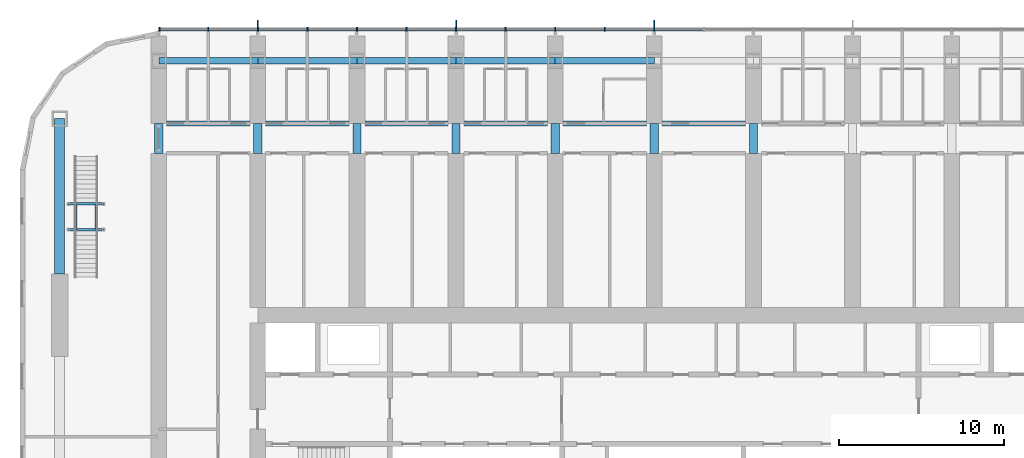
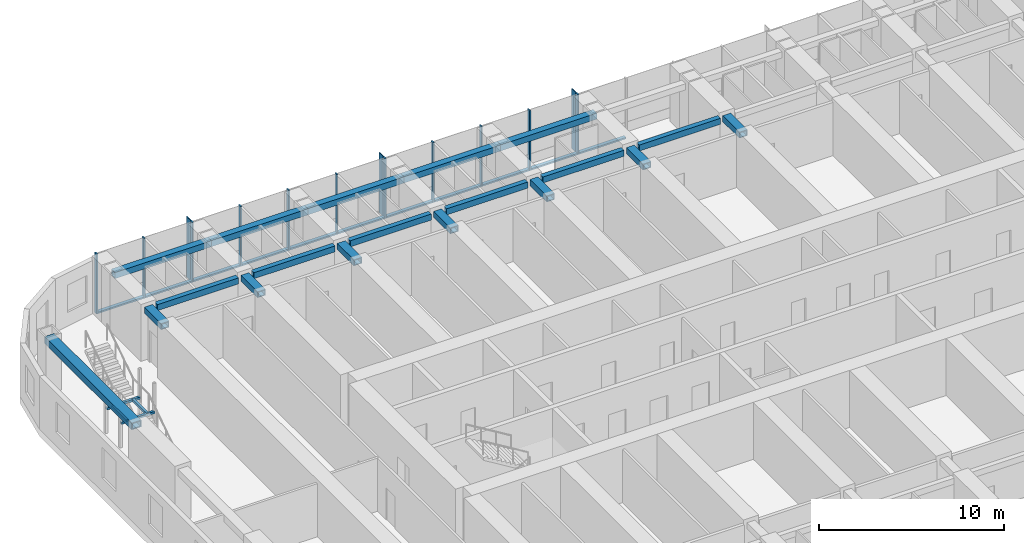
# One storey, part 6 of 26: 25 members, 23 beams, 1 element without a shape of its own.
"""IFC4 building model written with IfcOpenShell, lengths in metres."""

from ifc_helpers import new_model, si_unit, direction, frame, origin, origin_2d, place, context, subcontext, project, spatial, rectangle, hollow_rectangle, extrude, material, material_profile, profile_set, type_object, element, aggregate, save


model = new_model("IFC4")

# Units and contexts
model_context = context("Model", 3, precision=1e-05, world=origin(), true_north=direction((0.0, 1.0)))
body_context = subcontext(model_context, "Body", "Model", "MODEL_VIEW")
ifc_project = project(units=[si_unit("LENGTHUNIT", "METRE"), si_unit("AREAUNIT", "SQUARE_METRE"), si_unit("VOLUMEUNIT", "CUBIC_METRE"), si_unit("PLANEANGLEUNIT", "RADIAN"), si_unit("MASSUNIT", "GRAM", prefix="KILO")], contexts=[model_context])

# Site, building, storey
site_placement = place(None, origin())
site = spatial("IfcSite", under=ifc_project, at=site_placement, CompositionType="ELEMENT")
building_placement = place(site_placement, origin())
building = spatial("IfcBuilding", under=site, at=building_placement, Name="Orbita Commons", CompositionType="ELEMENT")
storey_placement = place(building_placement, frame((0.0, 0.0, 114.39990234375)))
storey = spatial("IfcBuildingStorey", under=building, at=storey_placement, Name="L28", CompositionType="ELEMENT", Elevation=114.39990234375)

# Curtain wall, members
ifc_material_1 = material(Name="Anodised aluminium frame, pale silver", Category="aluminium")
curtain_wall_type = type_object("IfcCurtainWallType", Name="Unitised curtain wall CW-T, vision and spandrel", PredefinedType="NOTDEFINED", material=ifc_material_1)
curtain_wall_placement = place(storey_placement, origin())
curtain_wall = element("IfcCurtainWall", 1, at=curtain_wall_placement, inside=storey, type_object=curtain_wall_type, Name="Curtain wall north L28", PredefinedType="NOTDEFINED")
ifc_material_2 = material(Name="Anodised aluminium, pale silver", Category="aluminium")
ifc_material_profile_1 = material_profile(ifc_material_2, rectangle(XDim=0.080078125, YDim=0.219970703125, at=origin_2d()), Name="AL 80x220")
ifc_profile_set_1 = profile_set([ifc_material_profile_1], Name="Anodised aluminium, pale silver")
member_type_1 = type_object("IfcMemberType", Name="Curtain wall mullion 80x220", PredefinedType="MULLION", material=ifc_profile_set_1)
member_1_placement = place(storey_placement, frame((42.0, 55.510009765625, -0.449951171875), z_axis=(0.0, 0.0, 1.0), x_axis=(-1.0, 0.0, 0.0)))
member_1 = element("IfcMember", 2, at=member_1_placement, type_object=member_type_1, Name="Mullion 9 CW-L28-N", PredefinedType="MULLION", context=body_context, shape_type="SweptSolid", body=[
    extrude(rectangle(XDim=0.080078125, YDim=0.219970703125, at=origin_2d()), origin(), (0.0, 0.0, 1.0), 3.949951171875),
])
member_2_placement = place(storey_placement, frame((39.0, 55.510009765625, -0.449951171875), z_axis=(0.0, 0.0, 1.0), x_axis=(-1.0, 0.0, 0.0)))
member_2 = element("IfcMember", 3, at=member_2_placement, type_object=member_type_1, Name="Mullion 10 CW-L28-N", PredefinedType="MULLION", context=body_context, shape_type="SweptSolid", body=[
    extrude(rectangle(XDim=0.080078125, YDim=0.219970703125, at=origin_2d()), origin(), (0.0, 0.0, 1.0), 3.949951171875),
])
member_3_placement = place(storey_placement, frame((36.0, 55.510009765625, -0.449951171875), z_axis=(0.0, 0.0, 1.0), x_axis=(-1.0, 0.0, 0.0)))
member_3 = element("IfcMember", 4, at=member_3_placement, type_object=member_type_1, Name="Mullion 11 CW-L28-N", PredefinedType="MULLION", context=body_context, shape_type="SweptSolid", body=[
    extrude(rectangle(XDim=0.080078125, YDim=0.219970703125, at=origin_2d()), origin(), (0.0, 0.0, 1.0), 3.949951171875),
])
member_4_placement = place(storey_placement, frame((33.0, 55.510009765625, -0.449951171875), z_axis=(0.0, 0.0, 1.0), x_axis=(-1.0, 0.0, 0.0)))
member_4 = element("IfcMember", 5, at=member_4_placement, type_object=member_type_1, Name="Mullion 12 CW-L28-N", PredefinedType="MULLION", context=body_context, shape_type="SweptSolid", body=[
    extrude(rectangle(XDim=0.080078125, YDim=0.219970703125, at=origin_2d()), origin(), (0.0, 0.0, 1.0), 3.949951171875),
])
member_5_placement = place(storey_placement, frame((30.0, 55.510009765625, -0.449951171875), z_axis=(0.0, 0.0, 1.0), x_axis=(-1.0, 0.0, 0.0)))
member_5 = element("IfcMember", 6, at=member_5_placement, type_object=member_type_1, Name="Mullion 13 CW-L28-N", PredefinedType="MULLION", context=body_context, shape_type="SweptSolid", body=[
    extrude(rectangle(XDim=0.080078125, YDim=0.219970703125, at=origin_2d()), origin(), (0.0, 0.0, 1.0), 3.949951171875),
])
member_6_placement = place(storey_placement, frame((27.0, 55.510009765625, -0.449951171875), z_axis=(0.0, 0.0, 1.0), x_axis=(-1.0, 0.0, 0.0)))
member_6 = element("IfcMember", 7, at=member_6_placement, type_object=member_type_1, Name="Mullion 14 CW-L28-N", PredefinedType="MULLION", context=body_context, shape_type="SweptSolid", body=[
    extrude(rectangle(XDim=0.080078125, YDim=0.219970703125, at=origin_2d()), origin(), (0.0, 0.0, 1.0), 3.949951171875),
])
member_7_placement = place(storey_placement, frame((24.0, 55.510009765625, -0.449951171875), z_axis=(0.0, 0.0, 1.0), x_axis=(-1.0, 0.0, 0.0)))
member_7 = element("IfcMember", 8, at=member_7_placement, type_object=member_type_1, Name="Mullion 15 CW-L28-N", PredefinedType="MULLION", context=body_context, shape_type="SweptSolid", body=[
    extrude(rectangle(XDim=0.080078125, YDim=0.219970703125, at=origin_2d()), origin(), (0.0, 0.0, 1.0), 3.949951171875),
])
member_8_placement = place(storey_placement, frame((21.0, 55.510009765625, -0.449951171875), z_axis=(0.0, 0.0, 1.0), x_axis=(-1.0, 0.0, 0.0)))
member_8 = element("IfcMember", 9, at=member_8_placement, type_object=member_type_1, Name="Mullion 16 CW-L28-N", PredefinedType="MULLION", context=body_context, shape_type="SweptSolid", body=[
    extrude(rectangle(XDim=0.080078125, YDim=0.219970703125, at=origin_2d()), origin(), (0.0, 0.0, 1.0), 3.949951171875),
])
member_9_placement = place(storey_placement, frame((18.0, 55.510009765625, -0.449951171875), z_axis=(0.0, 0.0, 1.0), x_axis=(-1.0, 0.0, 0.0)))
member_9 = element("IfcMember", 10, at=member_9_placement, type_object=member_type_1, Name="Mullion 17 CW-L28-N", PredefinedType="MULLION", context=body_context, shape_type="SweptSolid", body=[
    extrude(rectangle(XDim=0.080078125, YDim=0.219970703125, at=origin_2d()), origin(), (0.0, 0.0, 1.0), 3.949951171875),
])
member_10_placement = place(storey_placement, frame((15.0, 55.510009765625, -0.449951171875), z_axis=(0.0, 0.0, 1.0), x_axis=(-1.0, 0.0, 0.0)))
member_10 = element("IfcMember", 11, at=member_10_placement, type_object=member_type_1, Name="Mullion 18 CW-L28-N", PredefinedType="MULLION", context=body_context, shape_type="SweptSolid", body=[
    extrude(rectangle(XDim=0.080078125, YDim=0.219970703125, at=origin_2d()), origin(), (0.0, 0.0, 1.0), 3.949951171875),
])
member_11_placement = place(storey_placement, frame((12.0400390625, 55.510009765625, -0.449951171875), z_axis=(0.0, 0.0, 1.0), x_axis=(-1.0, 0.0, 0.0)))
member_11 = element("IfcMember", 12, at=member_11_placement, type_object=member_type_1, Name="Mullion 19 CW-L28-N", PredefinedType="MULLION", context=body_context, shape_type="SweptSolid", body=[
    extrude(rectangle(XDim=0.080078125, YDim=0.219970703125, at=origin_2d()), origin(), (0.0, 0.0, 1.0), 3.949951171875),
])
ifc_material_3 = material(Name="Anodised aluminium, pale silver", Category="aluminium")
ifc_material_profile_2 = material_profile(ifc_material_3, rectangle(XDim=0.219970703125, YDim=0.10009765625, at=origin_2d()), Name="AL 220x100")
ifc_profile_set_2 = profile_set([ifc_material_profile_2], Name="Anodised aluminium, pale silver")
member_type_2 = type_object("IfcMemberType", Name="Curtain wall stack transom 220x100", PredefinedType="USERDEFINED", material=ifc_profile_set_2)
member_12_placement = place(storey_placement, frame((44.9599609375, 55.510009765625, -0.39990234375), z_axis=(-1.0, 0.0, 0.0), x_axis=(0.0, -1.0, 0.0)))
member_12 = element("IfcMember", 13, at=member_12_placement, type_object=member_type_2, Name="Transom 8.1 CW-L28-N", ObjectType="TRANSOM", PredefinedType="USERDEFINED", context=body_context, shape_type="SweptSolid", body=[
    extrude(rectangle(XDim=0.219970703125, YDim=0.10009765625, at=origin_2d()), origin(), (0.0, 0.0, 1.0), 2.919921875),
])
member_13_placement = place(storey_placement, frame((41.9599609375, 55.510009765625, -0.39990234375), z_axis=(-1.0, 0.0, 0.0), x_axis=(0.0, -1.0, 0.0)))
member_13 = element("IfcMember", 14, at=member_13_placement, type_object=member_type_2, Name="Transom 9.1 CW-L28-N", ObjectType="TRANSOM", PredefinedType="USERDEFINED", context=body_context, shape_type="SweptSolid", body=[
    extrude(rectangle(XDim=0.219970703125, YDim=0.10009765625, at=origin_2d()), origin(), (0.0, 0.0, 1.0), 2.919921875),
])
member_14_placement = place(storey_placement, frame((38.9599609375, 55.510009765625, -0.39990234375), z_axis=(-1.0, 0.0, 0.0), x_axis=(0.0, -1.0, 0.0)))
member_14 = element("IfcMember", 15, at=member_14_placement, type_object=member_type_2, Name="Transom 10.1 CW-L28-N", ObjectType="TRANSOM", PredefinedType="USERDEFINED", context=body_context, shape_type="SweptSolid", body=[
    extrude(rectangle(XDim=0.219970703125, YDim=0.10009765625, at=origin_2d()), origin(), (0.0, 0.0, 1.0), 2.919921875),
])
member_15_placement = place(storey_placement, frame((35.9599609375, 55.510009765625, -0.39990234375), z_axis=(-1.0, 0.0, 0.0), x_axis=(0.0, -1.0, 0.0)))
member_15 = element("IfcMember", 16, at=member_15_placement, type_object=member_type_2, Name="Transom 11.1 CW-L28-N", ObjectType="TRANSOM", PredefinedType="USERDEFINED", context=body_context, shape_type="SweptSolid", body=[
    extrude(rectangle(XDim=0.219970703125, YDim=0.10009765625, at=origin_2d()), origin(), (0.0, 0.0, 1.0), 2.919921875),
])
member_16_placement = place(storey_placement, frame((32.9599609375, 55.510009765625, -0.39990234375), z_axis=(-1.0, 0.0, 0.0), x_axis=(0.0, -1.0, 0.0)))
member_16 = element("IfcMember", 17, at=member_16_placement, type_object=member_type_2, Name="Transom 12.1 CW-L28-N", ObjectType="TRANSOM", PredefinedType="USERDEFINED", context=body_context, shape_type="SweptSolid", body=[
    extrude(rectangle(XDim=0.219970703125, YDim=0.10009765625, at=origin_2d()), origin(), (0.0, 0.0, 1.0), 2.919921875),
])
member_17_placement = place(storey_placement, frame((29.9599609375, 55.510009765625, -0.39990234375), z_axis=(-1.0, 0.0, 0.0), x_axis=(0.0, -1.0, 0.0)))
member_17 = element("IfcMember", 18, at=member_17_placement, type_object=member_type_2, Name="Transom 13.1 CW-L28-N", ObjectType="TRANSOM", PredefinedType="USERDEFINED", context=body_context, shape_type="SweptSolid", body=[
    extrude(rectangle(XDim=0.219970703125, YDim=0.10009765625, at=origin_2d()), origin(), (0.0, 0.0, 1.0), 2.919921875),
])
member_18_placement = place(storey_placement, frame((26.9599609375, 55.510009765625, -0.39990234375), z_axis=(-1.0, 0.0, 0.0), x_axis=(0.0, -1.0, 0.0)))
member_18 = element("IfcMember", 19, at=member_18_placement, type_object=member_type_2, Name="Transom 14.1 CW-L28-N", ObjectType="TRANSOM", PredefinedType="USERDEFINED", context=body_context, shape_type="SweptSolid", body=[
    extrude(rectangle(XDim=0.219970703125, YDim=0.10009765625, at=origin_2d()), origin(), (0.0, 0.0, 1.0), 2.919921875),
])
member_19_placement = place(storey_placement, frame((23.9599609375, 55.510009765625, -0.39990234375), z_axis=(-1.0, 0.0, 0.0), x_axis=(0.0, -1.0, 0.0)))
member_19 = element("IfcMember", 20, at=member_19_placement, type_object=member_type_2, Name="Transom 15.1 CW-L28-N", ObjectType="TRANSOM", PredefinedType="USERDEFINED", context=body_context, shape_type="SweptSolid", body=[
    extrude(rectangle(XDim=0.219970703125, YDim=0.10009765625, at=origin_2d()), origin(), (0.0, 0.0, 1.0), 2.919921875),
])
member_20_placement = place(storey_placement, frame((20.9599609375, 55.510009765625, -0.39990234375), z_axis=(-1.0, 0.0, 0.0), x_axis=(0.0, -1.0, 0.0)))
member_20 = element("IfcMember", 21, at=member_20_placement, type_object=member_type_2, Name="Transom 16.1 CW-L28-N", ObjectType="TRANSOM", PredefinedType="USERDEFINED", context=body_context, shape_type="SweptSolid", body=[
    extrude(rectangle(XDim=0.219970703125, YDim=0.10009765625, at=origin_2d()), origin(), (0.0, 0.0, 1.0), 2.919921875),
])
member_21_placement = place(storey_placement, frame((17.9599609375, 55.510009765625, -0.39990234375), z_axis=(-1.0, 0.0, 0.0), x_axis=(0.0, -1.0, 0.0)))
member_21 = element("IfcMember", 22, at=member_21_placement, type_object=member_type_2, Name="Transom 17.1 CW-L28-N", ObjectType="TRANSOM", PredefinedType="USERDEFINED", context=body_context, shape_type="SweptSolid", body=[
    extrude(rectangle(XDim=0.219970703125, YDim=0.10009765625, at=origin_2d()), origin(), (0.0, 0.0, 1.0), 2.919921875),
])
member_22_placement = place(storey_placement, frame((14.9599609375, 55.510009765625, -0.39990234375), z_axis=(-1.0, 0.0, 0.0), x_axis=(0.0, -1.0, 0.0)))
member_22 = element("IfcMember", 23, at=member_22_placement, type_object=member_type_2, Name="Transom 18.1 CW-L28-N", ObjectType="TRANSOM", PredefinedType="USERDEFINED", context=body_context, shape_type="SweptSolid", body=[
    extrude(rectangle(XDim=0.219970703125, YDim=0.10009765625, at=origin_2d()), origin(), (0.0, 0.0, 1.0), 2.8798828125),
])

# Beams
ifc_material_4 = material(Name="Steel ASTM A992", Category="steel")
ifc_material_profile_3 = material_profile(ifc_material_4, hollow_rectangle(XDim=0.14990234375, YDim=0.14990234375, WallThickness=0.008056640625, at=origin_2d()), Name="SHS 150x150x8")
ifc_profile_set_3 = profile_set([ifc_material_profile_3], Name="Steel ASTM A992")
beam_type_1 = type_object("IfcBeamType", Name="Landing frame beam SHS 150x150x8", PredefinedType="BEAM", material=ifc_profile_set_3)
for number, where, z_axis, x_axis, name in (
    (24, (6.550048828125, 43.375, 1.60009765625), (1.0, 0.0, 0.0), (0.0, 1.0, 0.0), "Neighbourhood stair L28 to L29 landing frame beam 1"),
    (25, (6.550048828125, 44.93505859375, 1.60009765625), (1.0, 0.0, 0.0), (0.0, 1.0, 0.0), "Neighbourhood stair L28 to L29 landing frame beam 2"),
):
    element("IfcBeam", number, at=place(storey_placement, frame(where, z_axis=z_axis, x_axis=x_axis)), inside=storey, type_object=beam_type_1, Name=name, PredefinedType="BEAM", context=body_context, shape_type="SweptSolid", body=[
        extrude(hollow_rectangle(XDim=0.14990234375, YDim=0.14990234375, WallThickness=0.008056640625, at=origin_2d()), origin(), (0.0, 0.0, 1.0), 2.099853515625),
    ])
for number, where, z_axis, x_axis, name in (
    (26, (6.97509765625, 43.375, 1.60009765625), (0.0, 1.0, 0.0), (-1.0, 0.0, 0.0), "Neighbourhood stair L28 to L29 landing frame beam 3"),
    (27, (8.22509765625, 43.375, 1.60009765625), (0.0, 1.0, 0.0), (-1.0, 0.0, 0.0), "Neighbourhood stair L28 to L29 landing frame beam 4"),
):
    element("IfcBeam", number, at=place(storey_placement, frame(where, z_axis=z_axis, x_axis=x_axis)), inside=storey, type_object=beam_type_1, Name=name, PredefinedType="BEAM", context=body_context, shape_type="SweptSolid", body=[
        extrude(hollow_rectangle(XDim=0.14990234375, YDim=0.14990234375, WallThickness=0.008056640625, at=origin_2d()), origin(), (0.0, 0.0, 1.0), 1.56005859375),
    ])
ifc_material_5 = material(Name="Steel ASTM A572 Gr 50 welded plate", Category="steel")
ifc_material_profile_4 = material_profile(ifc_material_5, hollow_rectangle(XDim=0.300048828125, YDim=0.39990234375, WallThickness=0.0400390625, at=origin_2d()), Name="BOX 400x300x40")
ifc_profile_set_4 = profile_set([ifc_material_profile_4], Name="Steel ASTM A572 Gr 50 welded plate")
beam_type_2 = type_object("IfcBeamType", Name="Steel corridor link BOX 400x300x40", PredefinedType="BEAM", material=ifc_profile_set_4)
for number, where, z_axis, x_axis, name in (
    (28, (12.47509765625, 49.800048828125, 3.300048828125), (1.0, 0.0, 0.0), (0.0, 1.0, 0.0), "Corridor beam NB 3-4 L28"),
    (29, (18.47509765625, 49.800048828125, 3.300048828125), (1.0, 0.0, 0.0), (0.0, 1.0, 0.0), "Corridor beam NB 4-5 L28"),
    (30, (24.47509765625, 49.800048828125, 3.300048828125), (1.0, 0.0, 0.0), (0.0, 1.0, 0.0), "Corridor beam NB 5-6 L28"),
    (31, (30.47509765625, 49.800048828125, 3.300048828125), (1.0, 0.0, 0.0), (0.0, 1.0, 0.0), "Corridor beam NB 6-7 L28"),
    (32, (36.47509765625, 49.800048828125, 3.300048828125), (1.0, 0.0, 0.0), (0.0, 1.0, 0.0), "Corridor beam NB 7-8 L28"),
    (33, (42.47509765625, 49.800048828125, 3.300048828125), (1.0, 0.0, 0.0), (0.0, 1.0, 0.0), "Corridor beam NB 8-9 L28"),
):
    element("IfcBeam", number, at=place(storey_placement, frame(where, z_axis=z_axis, x_axis=x_axis)), inside=storey, type_object=beam_type_2, Name=name, PredefinedType="BEAM", context=body_context, shape_type="SweptSolid", body=[
        extrude(hollow_rectangle(XDim=0.300048828125, YDim=0.39990234375, WallThickness=0.0400390625, at=origin_2d()), origin(), (0.0, 0.0, 1.0), 5.0498046875),
    ])
ifc_material_6 = material(Name="Steel ASTM A572 Gr 50 welded plate", Category="steel")
ifc_material_profile_5 = material_profile(ifc_material_6, hollow_rectangle(XDim=0.5, YDim=0.39990234375, WallThickness=0.050048828125, at=origin_2d()), Name="BOX 400x500x50")
ifc_profile_set_5 = profile_set([ifc_material_profile_5], Name="Steel ASTM A572 Gr 50 welded plate")
beam_type_3 = type_object("IfcBeamType", Name="Steel coupling link BOX 400x500x50", PredefinedType="LINTEL", material=ifc_profile_set_5)
for number, where, z_axis, x_axis, name in (
    (34, (12.0, 48.0, 3.300048828125), (0.0, 1.0, 0.0), (-1.0, 0.0, 0.0), "Coupling beam 3 north L28"),
    (35, (18.0, 48.0, 3.300048828125), (0.0, 1.0, 0.0), (-1.0, 0.0, 0.0), "Coupling beam 4 north L28"),
    (36, (24.0, 48.0, 3.300048828125), (0.0, 1.0, 0.0), (-1.0, 0.0, 0.0), "Coupling beam 5 north L28"),
    (37, (30.0, 48.0, 3.300048828125), (0.0, 1.0, 0.0), (-1.0, 0.0, 0.0), "Coupling beam 6 north L28"),
    (38, (36.0, 48.0, 3.300048828125), (0.0, 1.0, 0.0), (-1.0, 0.0, 0.0), "Coupling beam 7 north L28"),
    (39, (42.0, 48.0, 3.300048828125), (0.0, 1.0, 0.0), (-1.0, 0.0, 0.0), "Coupling beam 8 north L28"),
    (40, (48.0, 48.0, 3.300048828125), (0.0, 1.0, 0.0), (-1.0, 0.0, 0.0), "Coupling beam 9 north L28"),
):
    element("IfcBeam", number, at=place(storey_placement, frame(where, z_axis=z_axis, x_axis=x_axis)), inside=storey, type_object=beam_type_3, Name=name, PredefinedType="LINTEL", context=body_context, shape_type="SweptSolid", body=[
        extrude(hollow_rectangle(XDim=0.5, YDim=0.39990234375, WallThickness=0.050048828125, at=origin_2d()), origin(), (0.0, 0.0, 1.0), 1.800048828125),
    ])
ifc_material_7 = material(Name="Steel ASTM A572 Gr 50 welded plate", Category="steel")
ifc_material_profile_6 = material_profile(ifc_material_7, hollow_rectangle(XDim=0.60009765625, YDim=0.449951171875, WallThickness=0.06005859375, at=origin_2d()), Name="BOX 450x600x60")
ifc_profile_set_6 = profile_set([ifc_material_profile_6], Name="Steel ASTM A572 Gr 50 welded plate")
beam_type_4 = type_object("IfcBeamType", Name="Steel end frame link BOX 450x600x60", PredefinedType="BEAM", material=ifc_profile_set_6)
beam_placement = place(storey_placement, frame((6.0, 40.699951171875, 3.275146484375), z_axis=(0.0, 1.0, 0.0), x_axis=(-1.0, 0.0, 0.0)))
element("IfcBeam", 41, at=beam_placement, inside=storey, type_object=beam_type_4, Name="End frame beam 2 D-E L28", PredefinedType="BEAM", context=body_context, shape_type="SweptSolid", body=[
    extrude(hollow_rectangle(XDim=0.60009765625, YDim=0.449951171875, WallThickness=0.06005859375, at=origin_2d()), origin(), (0.0, 0.0, 1.0), 9.400146484375),
])
ifc_material_8 = material(Name="Steel ASTM A572 Gr 50 welded plate", Category="steel")
ifc_material_profile_7 = material_profile(ifc_material_8, hollow_rectangle(XDim=0.39990234375, YDim=0.39990234375, WallThickness=0.0400390625, at=origin_2d()), Name="BOX 400x400x40")
ifc_profile_set_7 = profile_set([ifc_material_profile_7], Name="Steel ASTM A572 Gr 50 welded plate")
beam_type_5 = type_object("IfcBeamType", Name="Steel spandrel BOX 400x400x40", PredefinedType="SPANDREL", material=ifc_profile_set_7)
for number, where, z_axis, x_axis, name in (
    (42, (12.0, 53.60009765625, 3.300048828125), (1.0, 0.0, 0.0), (0.0, 1.0, 0.0), "Spandrel beam E 3-4 L28"),
    (43, (18.0, 53.60009765625, 3.300048828125), (1.0, 0.0, 0.0), (0.0, 1.0, 0.0), "Spandrel beam E 4-5 L28"),
    (44, (24.0, 53.60009765625, 3.300048828125), (1.0, 0.0, 0.0), (0.0, 1.0, 0.0), "Spandrel beam E 5-6 L28"),
    (45, (30.0, 53.60009765625, 3.300048828125), (1.0, 0.0, 0.0), (0.0, 1.0, 0.0), "Spandrel beam E 6-7 L28"),
    (46, (36.0, 53.60009765625, 3.300048828125), (1.0, 0.0, 0.0), (0.0, 1.0, 0.0), "Spandrel beam E 7-8 L28"),
):
    element("IfcBeam", number, at=place(storey_placement, frame(where, z_axis=z_axis, x_axis=x_axis)), inside=storey, type_object=beam_type_5, Name=name, PredefinedType="SPANDREL", context=body_context, shape_type="SweptSolid", body=[
        extrude(hollow_rectangle(XDim=0.39990234375, YDim=0.39990234375, WallThickness=0.0400390625, at=origin_2d()), origin(), (0.0, 0.0, 1.0), 6.0),
    ])

# Member
ifc_material_9 = material(Name="Anodised aluminium, pale silver", Category="aluminium")
ifc_material_profile_8 = material_profile(ifc_material_9, rectangle(XDim=0.06005859375, YDim=0.449951171875, at=origin_2d()), Name="FIN 60x450")
ifc_profile_set_8 = profile_set([ifc_material_profile_8], Name="Anodised aluminium, pale silver")
member_type_3 = type_object("IfcMemberType", Name="Vertical fin 60x450 pale aluminium", PredefinedType="USERDEFINED", material=ifc_profile_set_8)
member_23_placement = place(storey_placement, frame((42.0, 55.844970703125, -0.449951171875), z_axis=(0.0, 0.0, 1.0), x_axis=(-1.0, 0.0, 0.0)))
member_23 = element("IfcMember", 47, at=member_23_placement, type_object=member_type_3, Name="Fin 9 CW-L28-N", ObjectType="FIN", PredefinedType="USERDEFINED", context=body_context, shape_type="SweptSolid", body=[
    extrude(rectangle(XDim=0.06005859375, YDim=0.449951171875, at=origin_2d()), origin(), (0.0, 0.0, 1.0), 3.949951171875),
])

member_24_placement = place(storey_placement, frame((30.0, 55.844970703125, -0.449951171875), z_axis=(0.0, 0.0, 1.0), x_axis=(-1.0, 0.0, 0.0)))
member_24 = element("IfcMember", 48, at=member_24_placement, type_object=member_type_3, Name="Fin 13 CW-L28-N", ObjectType="FIN", PredefinedType="USERDEFINED", context=body_context, shape_type="SweptSolid", body=[
    extrude(rectangle(XDim=0.06005859375, YDim=0.449951171875, at=origin_2d()), origin(), (0.0, 0.0, 1.0), 3.949951171875),
])

member_25_placement = place(storey_placement, frame((18.0, 55.844970703125, -0.449951171875), z_axis=(0.0, 0.0, 1.0), x_axis=(-1.0, 0.0, 0.0)))
member_25 = element("IfcMember", 49, at=member_25_placement, type_object=member_type_3, Name="Fin 17 CW-L28-N", ObjectType="FIN", PredefinedType="USERDEFINED", context=body_context, shape_type="SweptSolid", body=[
    extrude(rectangle(XDim=0.06005859375, YDim=0.449951171875, at=origin_2d()), origin(), (0.0, 0.0, 1.0), 3.949951171875),
])

aggregate(curtain_wall, [member_1, member_23, member_2, member_3, member_4, member_5, member_24, member_6, member_7, member_8, member_9, member_25, member_10, member_11, member_12, member_13, member_14, member_15, member_16, member_17, member_18, member_19, member_20, member_21, member_22])

save(model, "model.ifc")
